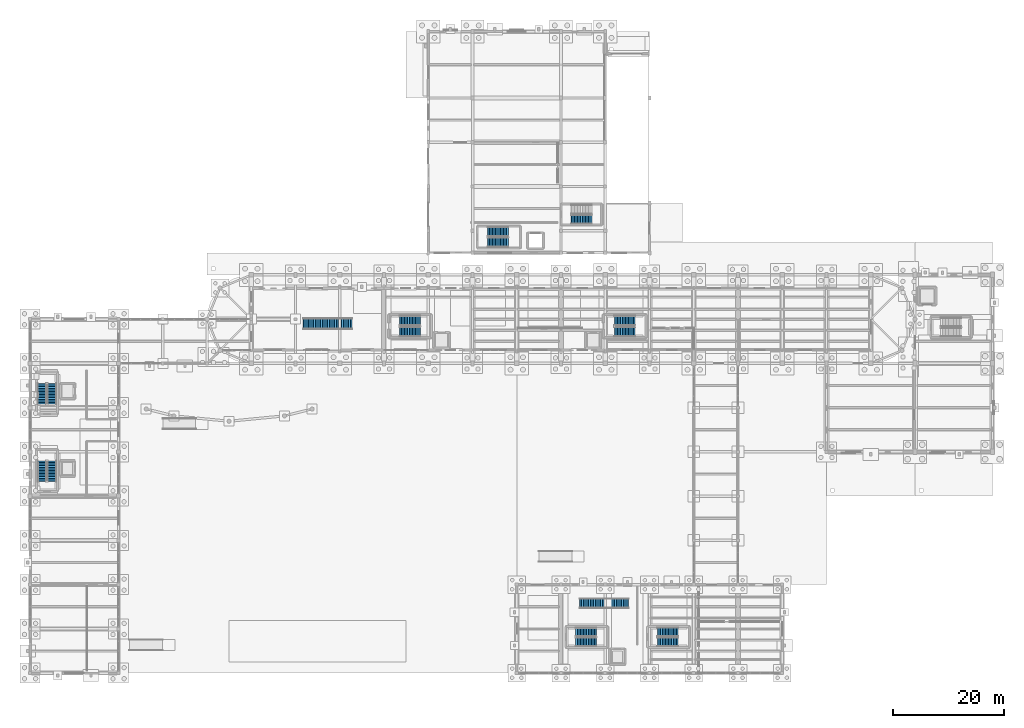
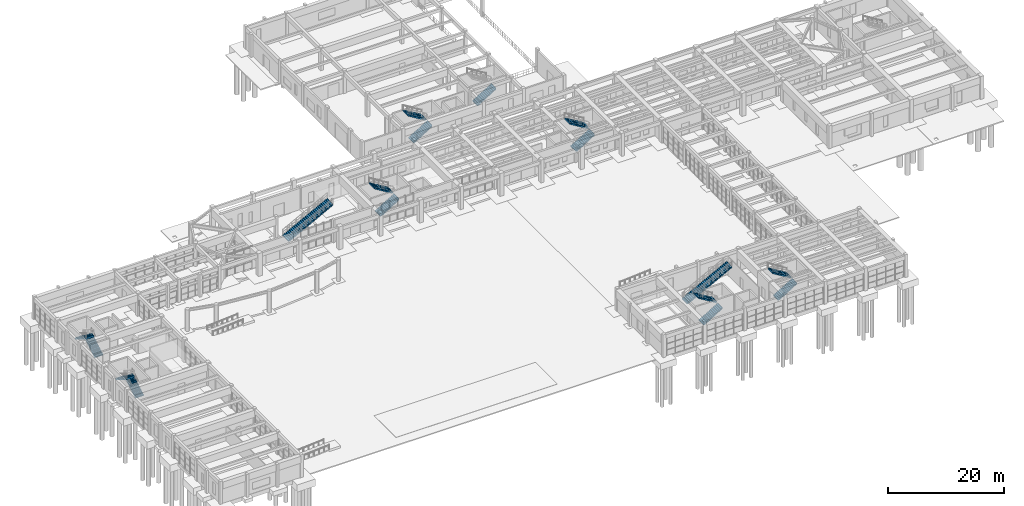
# One storey, part 55 of 68: 17 stair flights, 10 elements without a shape of their own.
"""IFC4 building model written with IfcOpenShell, lengths in metres."""

from ifc_helpers import new_model, si_unit, direction, frame, origin, place, context, subcontext, project, spatial, polyline, outline, extrude, material, type_object, element, aggregate, save


model = new_model("IFC4")

# Units and contexts
model_context = context("Model", 3, precision=1e-05, world=origin(), true_north=direction((0.0, 1.0)))
body_context = subcontext(model_context, "Body", "Model", "MODEL_VIEW")
ifc_project = project(units=[si_unit("LENGTHUNIT", "METRE"), si_unit("AREAUNIT", "SQUARE_METRE"), si_unit("VOLUMEUNIT", "CUBIC_METRE"), si_unit("PLANEANGLEUNIT", "RADIAN"), si_unit("MASSUNIT", "GRAM", prefix="KILO")], contexts=[model_context])

# Site, building, storey
site_placement = place(None, origin())
site = spatial("IfcSite", under=ifc_project, at=site_placement, CompositionType="ELEMENT")
building_placement = place(site_placement, origin())
building = spatial("IfcBuilding", under=site, at=building_placement, Name="Serraluz Foothill Cableway Terminal", CompositionType="ELEMENT")
storey_placement = place(building_placement, origin())
storey = spatial("IfcBuildingStorey", under=building, at=storey_placement, Name="L00", CompositionType="ELEMENT", Elevation=0.0)

# Stair, stair flights
ifc_material_1 = material(Name="Concrete C35/45 (f'c 35 MPa)", Category="concrete")
stair_type_1 = type_object("IfcStairType", Name="TYP-ST-DOG-166-48", PredefinedType="HALF_TURN_STAIR", material=ifc_material_1)
stair_1_placement = place(storey_placement, origin())
stair_1 = element("IfcStair", 1, at=stair_1_placement, inside=storey, type_object=stair_type_1, Name="L00 ST-01", PredefinedType="HALF_TURN_STAIR")
stair_flight_type_1 = type_object("IfcStairFlightType", Name="TYP-FL-DOG-166-48", PredefinedType="STRAIGHT", material=ifc_material_1)
stair_flight_1_placement = place(storey_placement, frame((3.969970703125, 48.659912109375, 0.0), z_axis=(0.0, 0.0, 1.0), x_axis=(0.0, 1.0, 0.0)))
stair_flight_1 = element("IfcStairFlight", 2, at=stair_flight_1_placement, type_object=stair_flight_type_1, Name="ST-01 flight 1", NumberOfRisers=14, NumberOfTreads=13, PredefinedType="STRAIGHT", RiserHeight=0.171428571, TreadLength=0.285, context=body_context, shape_type="SweptSolid", body=[
    extrude(outline(polyline([(-0.02490234375, -0.06005859375), (-0.02490234375, 0.0), (0.0, 0.0), (0.0, 0.17138671875), (0.284912109375, 0.17138671875), (0.284912109375, 0.3427734375), (0.570068359375, 0.3427734375), (0.570068359375, 0.514404296875), (0.85498046875, 0.514404296875), (0.85498046875, 0.685791015625), (1.139892578125, 0.685791015625), (1.139892578125, 0.857177734375), (1.425048828125, 0.857177734375), (1.425048828125, 1.028564453125), (1.7099609375, 1.028564453125), (1.7099609375, 1.199951171875), (1.9951171875, 1.199951171875), (1.9951171875, 1.371337890625), (2.280029296875, 1.371337890625), (2.280029296875, 1.54296875), (2.56494140625, 1.54296875), (2.56494140625, 1.71435546875), (2.85009765625, 1.71435546875), (2.85009765625, 1.8857421875), (3.135009765625, 1.8857421875), (3.135009765625, 2.05712890625), (3.419921875, 2.05712890625), (3.419921875, 2.228515625), (3.705078125, 2.228515625), (3.705078125, 2.39990234375), (3.72998046875, 2.39990234375), (3.72998046875, 2.0537109375), (0.290771484375, -0.06005859375), (-0.02490234375, -0.06005859375)])), frame((0.0, 0.830078125, 0.0), z_axis=(0.0, -1.0, 0.0), x_axis=(1.0, 0.0, 0.0)), (0.0, 0.0, 1.0), 1.659912109375),
])
stair_flight_2_placement = place(storey_placement, frame((2.14990234375, 52.364990234375, 2.39990234375), z_axis=(0.0, 0.0, 1.0), x_axis=(0.0, -1.0, 0.0)))
stair_flight_2 = element("IfcStairFlight", 3, at=stair_flight_2_placement, type_object=stair_flight_type_1, Name="ST-01 flight 2", NumberOfRisers=14, NumberOfTreads=13, PredefinedType="STRAIGHT", RiserHeight=0.171428571, TreadLength=0.285, context=body_context, shape_type="SweptSolid", body=[
    extrude(outline(polyline([(-0.02490234375, -0.06005859375), (-0.02490234375, 0.0), (0.0, 0.0), (0.0, 0.17138671875), (0.284912109375, 0.17138671875), (0.284912109375, 0.3427734375), (0.570068359375, 0.3427734375), (0.570068359375, 0.514404296875), (0.85498046875, 0.514404296875), (0.85498046875, 0.685791015625), (1.139892578125, 0.685791015625), (1.139892578125, 0.857177734375), (1.425048828125, 0.857177734375), (1.425048828125, 1.028564453125), (1.7099609375, 1.028564453125), (1.7099609375, 1.199951171875), (1.9951171875, 1.199951171875), (1.9951171875, 1.371337890625), (2.280029296875, 1.371337890625), (2.280029296875, 1.54296875), (2.56494140625, 1.54296875), (2.56494140625, 1.71435546875), (2.85009765625, 1.71435546875), (2.85009765625, 1.8857421875), (3.135009765625, 1.8857421875), (3.135009765625, 2.05712890625), (3.419921875, 2.05712890625), (3.419921875, 2.228515625), (3.705078125, 2.228515625), (3.705078125, 2.39990234375), (3.72998046875, 2.39990234375), (3.72998046875, 2.0537109375), (0.290771484375, -0.06005859375), (-0.02490234375, -0.06005859375)])), frame((0.0, 0.830078125, 0.0), z_axis=(0.0, -1.0, 0.0), x_axis=(1.0, 0.0, 0.0)), (0.0, 0.0, 1.0), 1.659912109375),
])
aggregate(stair_1, [stair_flight_1, stair_flight_2])

stair_2_placement = place(storey_placement, origin())
stair_2 = element("IfcStair", 4, at=stair_2_placement, inside=storey, type_object=stair_type_1, Name="L00 ST-02", PredefinedType="HALF_TURN_STAIR")
stair_flight_3_placement = place(storey_placement, frame((3.969970703125, 34.659912109375, 0.0), z_axis=(0.0, 0.0, 1.0), x_axis=(0.0, 1.0, 0.0)))
stair_flight_3 = element("IfcStairFlight", 5, at=stair_flight_3_placement, type_object=stair_flight_type_1, Name="ST-02 flight 1", NumberOfRisers=14, NumberOfTreads=13, PredefinedType="STRAIGHT", RiserHeight=0.171428571, TreadLength=0.285, context=body_context, shape_type="SweptSolid", body=[
    extrude(outline(polyline([(-0.02490234375, -0.06005859375), (-0.02490234375, 0.0), (0.0, 0.0), (0.0, 0.17138671875), (0.284912109375, 0.17138671875), (0.284912109375, 0.3427734375), (0.570068359375, 0.3427734375), (0.570068359375, 0.514404296875), (0.85498046875, 0.514404296875), (0.85498046875, 0.685791015625), (1.139892578125, 0.685791015625), (1.139892578125, 0.857177734375), (1.425048828125, 0.857177734375), (1.425048828125, 1.028564453125), (1.7099609375, 1.028564453125), (1.7099609375, 1.199951171875), (1.9951171875, 1.199951171875), (1.9951171875, 1.371337890625), (2.280029296875, 1.371337890625), (2.280029296875, 1.54296875), (2.56494140625, 1.54296875), (2.56494140625, 1.71435546875), (2.85009765625, 1.71435546875), (2.85009765625, 1.8857421875), (3.135009765625, 1.8857421875), (3.135009765625, 2.05712890625), (3.419921875, 2.05712890625), (3.419921875, 2.228515625), (3.705078125, 2.228515625), (3.705078125, 2.39990234375), (3.72998046875, 2.39990234375), (3.72998046875, 2.0537109375), (0.290771484375, -0.06005859375), (-0.02490234375, -0.06005859375)])), frame((0.0, 0.830078125, 0.0), z_axis=(0.0, -1.0, 0.0), x_axis=(1.0, 0.0, 0.0)), (0.0, 0.0, 1.0), 1.659912109375),
])
stair_flight_4_placement = place(storey_placement, frame((2.14990234375, 38.364990234375, 2.39990234375), z_axis=(0.0, 0.0, 1.0), x_axis=(0.0, -1.0, 0.0)))
stair_flight_4 = element("IfcStairFlight", 6, at=stair_flight_4_placement, type_object=stair_flight_type_1, Name="ST-02 flight 2", NumberOfRisers=14, NumberOfTreads=13, PredefinedType="STRAIGHT", RiserHeight=0.171428571, TreadLength=0.285, context=body_context, shape_type="SweptSolid", body=[
    extrude(outline(polyline([(-0.02490234375, -0.06005859375), (-0.02490234375, 0.0), (0.0, 0.0), (0.0, 0.17138671875), (0.284912109375, 0.17138671875), (0.284912109375, 0.3427734375), (0.570068359375, 0.3427734375), (0.570068359375, 0.514404296875), (0.85498046875, 0.514404296875), (0.85498046875, 0.685791015625), (1.139892578125, 0.685791015625), (1.139892578125, 0.857177734375), (1.425048828125, 0.857177734375), (1.425048828125, 1.028564453125), (1.7099609375, 1.028564453125), (1.7099609375, 1.199951171875), (1.9951171875, 1.199951171875), (1.9951171875, 1.371337890625), (2.280029296875, 1.371337890625), (2.280029296875, 1.54296875), (2.56494140625, 1.54296875), (2.56494140625, 1.71435546875), (2.85009765625, 1.71435546875), (2.85009765625, 1.8857421875), (3.135009765625, 1.8857421875), (3.135009765625, 2.05712890625), (3.419921875, 2.05712890625), (3.419921875, 2.228515625), (3.705078125, 2.228515625), (3.705078125, 2.39990234375), (3.72998046875, 2.39990234375), (3.72998046875, 2.0537109375), (0.290771484375, -0.06005859375), (-0.02490234375, -0.06005859375)])), frame((0.0, 0.830078125, 0.0), z_axis=(0.0, -1.0, 0.0), x_axis=(1.0, 0.0, 0.0)), (0.0, 0.0, 1.0), 1.659912109375),
])
aggregate(stair_2, [stair_flight_3, stair_flight_4])

stair_3_placement = place(storey_placement, origin())
stair_3 = element("IfcStair", 7, at=stair_3_placement, inside=storey, type_object=stair_type_1, Name="L00 ST-06", PredefinedType="HALF_TURN_STAIR")
stair_flight_5_placement = place(storey_placement, frame((98.659912109375, 5.6298828125, 0.0), z_axis=(0.0, 0.0, 1.0), x_axis=(1.0, 0.0, 0.0)))
stair_flight_5 = element("IfcStairFlight", 8, at=stair_flight_5_placement, type_object=stair_flight_type_1, Name="ST-06 flight 1", NumberOfRisers=14, NumberOfTreads=13, PredefinedType="STRAIGHT", RiserHeight=0.171428571, TreadLength=0.285, context=body_context, shape_type="SweptSolid", body=[
    extrude(outline(polyline([(-0.02490234375, -0.06005859375), (-0.02490234375, 0.0), (0.0, 0.0), (0.0, 0.17138671875), (0.284912109375, 0.17138671875), (0.284912109375, 0.3427734375), (0.570068359375, 0.3427734375), (0.570068359375, 0.514404296875), (0.85498046875, 0.514404296875), (0.85498046875, 0.685791015625), (1.139892578125, 0.685791015625), (1.139892578125, 0.857177734375), (1.425048828125, 0.857177734375), (1.425048828125, 1.028564453125), (1.7099609375, 1.028564453125), (1.7099609375, 1.199951171875), (1.9951171875, 1.199951171875), (1.9951171875, 1.371337890625), (2.280029296875, 1.371337890625), (2.280029296875, 1.54296875), (2.56494140625, 1.54296875), (2.56494140625, 1.71435546875), (2.85009765625, 1.71435546875), (2.85009765625, 1.8857421875), (3.135009765625, 1.8857421875), (3.135009765625, 2.05712890625), (3.419921875, 2.05712890625), (3.419921875, 2.228515625), (3.705078125, 2.228515625), (3.705078125, 2.39990234375), (3.72998046875, 2.39990234375), (3.72998046875, 2.0537109375), (0.290771484375, -0.06005859375), (-0.02490234375, -0.06005859375)])), frame((0.0, 0.830078125, 0.0), z_axis=(0.0, -1.0, 0.0), x_axis=(1.0, 0.0, 0.0)), (0.0, 0.0, 1.0), 1.659912109375),
])
stair_flight_6_placement = place(storey_placement, frame((102.364990234375, 7.449951171875, 2.39990234375), z_axis=(0.0, 0.0, 1.0), x_axis=(-1.0, 0.0, 0.0)))
stair_flight_6 = element("IfcStairFlight", 9, at=stair_flight_6_placement, type_object=stair_flight_type_1, Name="ST-06 flight 2", NumberOfRisers=14, NumberOfTreads=13, PredefinedType="STRAIGHT", RiserHeight=0.171428571, TreadLength=0.285, context=body_context, shape_type="SweptSolid", body=[
    extrude(outline(polyline([(-0.02490234375, -0.06005859375), (-0.02490234375, 0.0), (0.0, 0.0), (0.0, 0.17138671875), (0.284912109375, 0.17138671875), (0.284912109375, 0.3427734375), (0.570068359375, 0.3427734375), (0.570068359375, 0.514404296875), (0.85498046875, 0.514404296875), (0.85498046875, 0.685791015625), (1.139892578125, 0.685791015625), (1.139892578125, 0.857177734375), (1.425048828125, 0.857177734375), (1.425048828125, 1.028564453125), (1.7099609375, 1.028564453125), (1.7099609375, 1.199951171875), (1.9951171875, 1.199951171875), (1.9951171875, 1.371337890625), (2.280029296875, 1.371337890625), (2.280029296875, 1.54296875), (2.56494140625, 1.54296875), (2.56494140625, 1.71435546875), (2.85009765625, 1.71435546875), (2.85009765625, 1.8857421875), (3.135009765625, 1.8857421875), (3.135009765625, 2.05712890625), (3.419921875, 2.05712890625), (3.419921875, 2.228515625), (3.705078125, 2.228515625), (3.705078125, 2.39990234375), (3.72998046875, 2.39990234375), (3.72998046875, 2.0537109375), (0.290771484375, -0.06005859375), (-0.02490234375, -0.06005859375)])), frame((0.0, 0.830078125, 0.0), z_axis=(0.0, -1.0, 0.0), x_axis=(1.0, 0.0, 0.0)), (0.0, 0.0, 1.0), 1.659912109375),
])
aggregate(stair_3, [stair_flight_5, stair_flight_6])

stair_4_placement = place(storey_placement, origin())
stair_4 = element("IfcStair", 10, at=stair_4_placement, inside=storey, type_object=stair_type_1, Name="L00 ST-07", PredefinedType="HALF_TURN_STAIR")
stair_flight_7_placement = place(storey_placement, frame((113.4599609375, 5.6298828125, 0.0), z_axis=(0.0, 0.0, 1.0), x_axis=(1.0, 0.0, 0.0)))
stair_flight_7 = element("IfcStairFlight", 11, at=stair_flight_7_placement, type_object=stair_flight_type_1, Name="ST-07 flight 1", NumberOfRisers=14, NumberOfTreads=13, PredefinedType="STRAIGHT", RiserHeight=0.171428571, TreadLength=0.285, context=body_context, shape_type="SweptSolid", body=[
    extrude(outline(polyline([(-0.02490234375, -0.06005859375), (-0.02490234375, 0.0), (0.0, 0.0), (0.0, 0.17138671875), (0.284912109375, 0.17138671875), (0.284912109375, 0.3427734375), (0.570068359375, 0.3427734375), (0.570068359375, 0.514404296875), (0.85498046875, 0.514404296875), (0.85498046875, 0.685791015625), (1.139892578125, 0.685791015625), (1.139892578125, 0.857177734375), (1.425048828125, 0.857177734375), (1.425048828125, 1.028564453125), (1.7099609375, 1.028564453125), (1.7099609375, 1.199951171875), (1.9951171875, 1.199951171875), (1.9951171875, 1.371337890625), (2.280029296875, 1.371337890625), (2.280029296875, 1.54296875), (2.56494140625, 1.54296875), (2.56494140625, 1.71435546875), (2.85009765625, 1.71435546875), (2.85009765625, 1.8857421875), (3.135009765625, 1.8857421875), (3.135009765625, 2.05712890625), (3.419921875, 2.05712890625), (3.419921875, 2.228515625), (3.705078125, 2.228515625), (3.705078125, 2.39990234375), (3.72998046875, 2.39990234375), (3.72998046875, 2.0537109375), (0.290771484375, -0.06005859375), (-0.02490234375, -0.06005859375)])), frame((0.0, 0.830078125, 0.0), z_axis=(0.0, -1.0, 0.0), x_axis=(1.0, 0.0, 0.0)), (0.0, 0.0, 1.0), 1.659912109375),
])
stair_flight_8_placement = place(storey_placement, frame((117.1650390625, 7.449951171875, 2.39990234375), z_axis=(0.0, 0.0, 1.0), x_axis=(-1.0, 0.0, 0.0)))
stair_flight_8 = element("IfcStairFlight", 12, at=stair_flight_8_placement, type_object=stair_flight_type_1, Name="ST-07 flight 2", NumberOfRisers=14, NumberOfTreads=13, PredefinedType="STRAIGHT", RiserHeight=0.171428571, TreadLength=0.285, context=body_context, shape_type="SweptSolid", body=[
    extrude(outline(polyline([(-0.02490234375, -0.06005859375), (-0.02490234375, 0.0), (0.0, 0.0), (0.0, 0.17138671875), (0.284912109375, 0.17138671875), (0.284912109375, 0.3427734375), (0.570068359375, 0.3427734375), (0.570068359375, 0.514404296875), (0.85498046875, 0.514404296875), (0.85498046875, 0.685791015625), (1.139892578125, 0.685791015625), (1.139892578125, 0.857177734375), (1.425048828125, 0.857177734375), (1.425048828125, 1.028564453125), (1.7099609375, 1.028564453125), (1.7099609375, 1.199951171875), (1.9951171875, 1.199951171875), (1.9951171875, 1.371337890625), (2.280029296875, 1.371337890625), (2.280029296875, 1.54296875), (2.56494140625, 1.54296875), (2.56494140625, 1.71435546875), (2.85009765625, 1.71435546875), (2.85009765625, 1.8857421875), (3.135009765625, 1.8857421875), (3.135009765625, 2.05712890625), (3.419921875, 2.05712890625), (3.419921875, 2.228515625), (3.705078125, 2.228515625), (3.705078125, 2.39990234375), (3.72998046875, 2.39990234375), (3.72998046875, 2.0537109375), (0.290771484375, -0.06005859375), (-0.02490234375, -0.06005859375)])), frame((0.0, 0.830078125, 0.0), z_axis=(0.0, -1.0, 0.0), x_axis=(1.0, 0.0, 0.0)), (0.0, 0.0, 1.0), 1.659912109375),
])
aggregate(stair_4, [stair_flight_7, stair_flight_8])

# Stair, stair flight
stair_5_placement = place(storey_placement, origin())
stair_5 = element("IfcStair", 13, at=stair_5_placement, inside=storey, type_object=stair_type_1, Name="L00 ST-09", PredefinedType="HALF_TURN_STAIR")
stair_flight_9_placement = place(storey_placement, frame((97.860107421875, 82.030029296875, 0.0), z_axis=(0.0, 0.0, 1.0), x_axis=(1.0, 0.0, 0.0)))
stair_flight_9 = element("IfcStairFlight", 14, at=stair_flight_9_placement, type_object=stair_flight_type_1, Name="ST-09 flight 1", NumberOfRisers=14, NumberOfTreads=13, PredefinedType="STRAIGHT", RiserHeight=0.171428571, TreadLength=0.285, context=body_context, shape_type="SweptSolid", body=[
    extrude(outline(polyline([(-0.02490234375, -0.06005859375), (-0.02490234375, 0.0), (0.0, 0.0), (0.0, 0.17138671875), (0.284912109375, 0.17138671875), (0.284912109375, 0.3427734375), (0.570068359375, 0.3427734375), (0.570068359375, 0.514404296875), (0.85498046875, 0.514404296875), (0.85498046875, 0.685791015625), (1.139892578125, 0.685791015625), (1.139892578125, 0.857177734375), (1.425048828125, 0.857177734375), (1.425048828125, 1.028564453125), (1.7099609375, 1.028564453125), (1.7099609375, 1.199951171875), (1.9951171875, 1.199951171875), (1.9951171875, 1.371337890625), (2.280029296875, 1.371337890625), (2.280029296875, 1.54296875), (2.56494140625, 1.54296875), (2.56494140625, 1.71435546875), (2.85009765625, 1.71435546875), (2.85009765625, 1.8857421875), (3.135009765625, 1.8857421875), (3.135009765625, 2.05712890625), (3.419921875, 2.05712890625), (3.419921875, 2.228515625), (3.705078125, 2.228515625), (3.705078125, 2.39990234375), (3.72998046875, 2.39990234375), (3.72998046875, 2.0537109375), (0.290771484375, -0.06005859375), (-0.02490234375, -0.06005859375)])), frame((0.0, 0.830078125, 0.0), z_axis=(0.0, -1.0, 0.0), x_axis=(1.0, 0.0, 0.0)), (0.0, 0.0, 1.0), 1.659912109375),
])
aggregate(stair_5, [stair_flight_9])

# Stair, stair flights
stair_type_2 = type_object("IfcStairType", Name="TYP-ST-DOG-176-48", PredefinedType="HALF_TURN_STAIR", material=ifc_material_1)
stair_6_placement = place(storey_placement, origin())
stair_6 = element("IfcStair", 15, at=stair_6_placement, inside=storey, type_object=stair_type_2, Name="L00 ST-08", PredefinedType="HALF_TURN_STAIR")
stair_flight_type_2 = type_object("IfcStairFlightType", Name="TYP-FL-DOG-176-48", PredefinedType="STRAIGHT", material=ifc_material_1)
stair_flight_10_placement = place(storey_placement, frame((82.760009765625, 77.8798828125, 0.0), z_axis=(0.0, 0.0, 1.0), x_axis=(1.0, 0.0, 0.0)))
stair_flight_10 = element("IfcStairFlight", 16, at=stair_flight_10_placement, type_object=stair_flight_type_2, Name="ST-08 flight 1", NumberOfRisers=14, NumberOfTreads=13, PredefinedType="STRAIGHT", RiserHeight=0.171428571, TreadLength=0.285, context=body_context, shape_type="SweptSolid", body=[
    extrude(outline(polyline([(-0.02490234375, -0.06005859375), (-0.02490234375, 0.0), (0.0, 0.0), (0.0, 0.17138671875), (0.284912109375, 0.17138671875), (0.284912109375, 0.3427734375), (0.570068359375, 0.3427734375), (0.570068359375, 0.514404296875), (0.85498046875, 0.514404296875), (0.85498046875, 0.685791015625), (1.139892578125, 0.685791015625), (1.139892578125, 0.857177734375), (1.425048828125, 0.857177734375), (1.425048828125, 1.028564453125), (1.7099609375, 1.028564453125), (1.7099609375, 1.199951171875), (1.9951171875, 1.199951171875), (1.9951171875, 1.371337890625), (2.280029296875, 1.371337890625), (2.280029296875, 1.54296875), (2.56494140625, 1.54296875), (2.56494140625, 1.71435546875), (2.85009765625, 1.71435546875), (2.85009765625, 1.8857421875), (3.135009765625, 1.8857421875), (3.135009765625, 2.05712890625), (3.419921875, 2.05712890625), (3.419921875, 2.228515625), (3.705078125, 2.228515625), (3.705078125, 2.39990234375), (3.72998046875, 2.39990234375), (3.72998046875, 2.0537109375), (0.290771484375, -0.06005859375), (-0.02490234375, -0.06005859375)])), frame((0.0, 0.8798828125, 0.0), z_axis=(0.0, -1.0, 0.0), x_axis=(1.0, 0.0, 0.0)), (0.0, 0.0, 1.0), 1.760009765625),
])
stair_flight_11_placement = place(storey_placement, frame((86.465087890625, 79.800048828125, 2.39990234375), z_axis=(0.0, 0.0, 1.0), x_axis=(-1.0, 0.0, 0.0)))
stair_flight_11 = element("IfcStairFlight", 17, at=stair_flight_11_placement, type_object=stair_flight_type_2, Name="ST-08 flight 2", NumberOfRisers=14, NumberOfTreads=13, PredefinedType="STRAIGHT", RiserHeight=0.171428571, TreadLength=0.285, context=body_context, shape_type="SweptSolid", body=[
    extrude(outline(polyline([(-0.02490234375, -0.06005859375), (-0.02490234375, 0.0), (0.0, 0.0), (0.0, 0.17138671875), (0.284912109375, 0.17138671875), (0.284912109375, 0.3427734375), (0.570068359375, 0.3427734375), (0.570068359375, 0.514404296875), (0.85498046875, 0.514404296875), (0.85498046875, 0.685791015625), (1.139892578125, 0.685791015625), (1.139892578125, 0.857177734375), (1.425048828125, 0.857177734375), (1.425048828125, 1.028564453125), (1.7099609375, 1.028564453125), (1.7099609375, 1.199951171875), (1.9951171875, 1.199951171875), (1.9951171875, 1.371337890625), (2.280029296875, 1.371337890625), (2.280029296875, 1.54296875), (2.56494140625, 1.54296875), (2.56494140625, 1.71435546875), (2.85009765625, 1.71435546875), (2.85009765625, 1.8857421875), (3.135009765625, 1.8857421875), (3.135009765625, 2.05712890625), (3.419921875, 2.05712890625), (3.419921875, 2.228515625), (3.705078125, 2.228515625), (3.705078125, 2.39990234375), (3.72998046875, 2.39990234375), (3.72998046875, 2.0537109375), (0.290771484375, -0.06005859375), (-0.02490234375, -0.06005859375)])), frame((0.0, 0.8798828125, 0.0), z_axis=(0.0, -1.0, 0.0), x_axis=(1.0, 0.0, 0.0)), (0.0, 0.0, 1.0), 1.760009765625),
])
aggregate(stair_6, [stair_flight_10, stair_flight_11])

stair_type_3 = type_object("IfcStairType", Name="TYP-ST-DOG-186-48", PredefinedType="HALF_TURN_STAIR", material=ifc_material_1)
stair_7_placement = place(storey_placement, origin())
stair_7 = element("IfcStair", 18, at=stair_7_placement, inside=storey, type_object=stair_type_3, Name="L00 ST-03", PredefinedType="HALF_TURN_STAIR")
stair_flight_type_3 = type_object("IfcStairFlightType", Name="TYP-FL-DOG-186-48", PredefinedType="STRAIGHT", material=ifc_material_1)
stair_flight_12_placement = place(storey_placement, frame((66.860107421875, 61.72998046875, 0.0), z_axis=(0.0, 0.0, 1.0), x_axis=(1.0, 0.0, 0.0)))
stair_flight_12 = element("IfcStairFlight", 19, at=stair_flight_12_placement, type_object=stair_flight_type_3, Name="ST-03 flight 1", NumberOfRisers=14, NumberOfTreads=13, PredefinedType="STRAIGHT", RiserHeight=0.171428571, TreadLength=0.285, context=body_context, shape_type="SweptSolid", body=[
    extrude(outline(polyline([(-0.02490234375, -0.06005859375), (-0.02490234375, 0.0), (0.0, 0.0), (0.0, 0.17138671875), (0.284912109375, 0.17138671875), (0.284912109375, 0.3427734375), (0.570068359375, 0.3427734375), (0.570068359375, 0.514404296875), (0.85498046875, 0.514404296875), (0.85498046875, 0.685791015625), (1.139892578125, 0.685791015625), (1.139892578125, 0.857177734375), (1.425048828125, 0.857177734375), (1.425048828125, 1.028564453125), (1.7099609375, 1.028564453125), (1.7099609375, 1.199951171875), (1.9951171875, 1.199951171875), (1.9951171875, 1.371337890625), (2.280029296875, 1.371337890625), (2.280029296875, 1.54296875), (2.56494140625, 1.54296875), (2.56494140625, 1.71435546875), (2.85009765625, 1.71435546875), (2.85009765625, 1.8857421875), (3.135009765625, 1.8857421875), (3.135009765625, 2.05712890625), (3.419921875, 2.05712890625), (3.419921875, 2.228515625), (3.705078125, 2.228515625), (3.705078125, 2.39990234375), (3.72998046875, 2.39990234375), (3.72998046875, 2.0537109375), (0.290771484375, -0.06005859375), (-0.02490234375, -0.06005859375)])), frame((0.0, 0.93017578125, 0.0), z_axis=(0.0, -1.0, 0.0), x_axis=(1.0, 0.0, 0.0)), (0.0, 0.0, 1.0), 1.860107421875),
])
stair_flight_13_placement = place(storey_placement, frame((70.56494140625, 63.75, 2.39990234375), z_axis=(0.0, 0.0, 1.0), x_axis=(-1.0, 0.0, 0.0)))
stair_flight_13 = element("IfcStairFlight", 20, at=stair_flight_13_placement, type_object=stair_flight_type_3, Name="ST-03 flight 2", NumberOfRisers=14, NumberOfTreads=13, PredefinedType="STRAIGHT", RiserHeight=0.171428571, TreadLength=0.285, context=body_context, shape_type="SweptSolid", body=[
    extrude(outline(polyline([(-0.02490234375, -0.06005859375), (-0.02490234375, 0.0), (0.0, 0.0), (0.0, 0.17138671875), (0.284912109375, 0.17138671875), (0.284912109375, 0.3427734375), (0.570068359375, 0.3427734375), (0.570068359375, 0.514404296875), (0.85498046875, 0.514404296875), (0.85498046875, 0.685791015625), (1.139892578125, 0.685791015625), (1.139892578125, 0.857177734375), (1.425048828125, 0.857177734375), (1.425048828125, 1.028564453125), (1.7099609375, 1.028564453125), (1.7099609375, 1.199951171875), (1.9951171875, 1.199951171875), (1.9951171875, 1.371337890625), (2.280029296875, 1.371337890625), (2.280029296875, 1.54296875), (2.56494140625, 1.54296875), (2.56494140625, 1.71435546875), (2.85009765625, 1.71435546875), (2.85009765625, 1.8857421875), (3.135009765625, 1.8857421875), (3.135009765625, 2.05712890625), (3.419921875, 2.05712890625), (3.419921875, 2.228515625), (3.705078125, 2.228515625), (3.705078125, 2.39990234375), (3.72998046875, 2.39990234375), (3.72998046875, 2.0537109375), (0.290771484375, -0.06005859375), (-0.02490234375, -0.06005859375)])), frame((0.0, 0.93017578125, 0.0), z_axis=(0.0, -1.0, 0.0), x_axis=(1.0, 0.0, 0.0)), (0.0, 0.0, 1.0), 1.860107421875),
])
aggregate(stair_7, [stair_flight_12, stair_flight_13])

stair_8_placement = place(storey_placement, origin())
stair_8 = element("IfcStair", 21, at=stair_8_placement, inside=storey, type_object=stair_type_3, Name="L00 ST-04", PredefinedType="HALF_TURN_STAIR")
stair_flight_14_placement = place(storey_placement, frame((105.659912109375, 61.72998046875, 0.0), z_axis=(0.0, 0.0, 1.0), x_axis=(1.0, 0.0, 0.0)))
stair_flight_14 = element("IfcStairFlight", 22, at=stair_flight_14_placement, type_object=stair_flight_type_3, Name="ST-04 flight 1", NumberOfRisers=14, NumberOfTreads=13, PredefinedType="STRAIGHT", RiserHeight=0.171428571, TreadLength=0.285, context=body_context, shape_type="SweptSolid", body=[
    extrude(outline(polyline([(-0.02490234375, -0.06005859375), (-0.02490234375, 0.0), (0.0, 0.0), (0.0, 0.17138671875), (0.284912109375, 0.17138671875), (0.284912109375, 0.3427734375), (0.570068359375, 0.3427734375), (0.570068359375, 0.514404296875), (0.85498046875, 0.514404296875), (0.85498046875, 0.685791015625), (1.139892578125, 0.685791015625), (1.139892578125, 0.857177734375), (1.425048828125, 0.857177734375), (1.425048828125, 1.028564453125), (1.7099609375, 1.028564453125), (1.7099609375, 1.199951171875), (1.9951171875, 1.199951171875), (1.9951171875, 1.371337890625), (2.280029296875, 1.371337890625), (2.280029296875, 1.54296875), (2.56494140625, 1.54296875), (2.56494140625, 1.71435546875), (2.85009765625, 1.71435546875), (2.85009765625, 1.8857421875), (3.135009765625, 1.8857421875), (3.135009765625, 2.05712890625), (3.419921875, 2.05712890625), (3.419921875, 2.228515625), (3.705078125, 2.228515625), (3.705078125, 2.39990234375), (3.72998046875, 2.39990234375), (3.72998046875, 2.0537109375), (0.290771484375, -0.06005859375), (-0.02490234375, -0.06005859375)])), frame((0.0, 0.93017578125, 0.0), z_axis=(0.0, -1.0, 0.0), x_axis=(1.0, 0.0, 0.0)), (0.0, 0.0, 1.0), 1.860107421875),
])
stair_flight_15_placement = place(storey_placement, frame((109.364990234375, 63.75, 2.39990234375), z_axis=(0.0, 0.0, 1.0), x_axis=(-1.0, 0.0, 0.0)))
stair_flight_15 = element("IfcStairFlight", 23, at=stair_flight_15_placement, type_object=stair_flight_type_3, Name="ST-04 flight 2", NumberOfRisers=14, NumberOfTreads=13, PredefinedType="STRAIGHT", RiserHeight=0.171428571, TreadLength=0.285, context=body_context, shape_type="SweptSolid", body=[
    extrude(outline(polyline([(-0.02490234375, -0.06005859375), (-0.02490234375, 0.0), (0.0, 0.0), (0.0, 0.17138671875), (0.284912109375, 0.17138671875), (0.284912109375, 0.3427734375), (0.570068359375, 0.3427734375), (0.570068359375, 0.514404296875), (0.85498046875, 0.514404296875), (0.85498046875, 0.685791015625), (1.139892578125, 0.685791015625), (1.139892578125, 0.857177734375), (1.425048828125, 0.857177734375), (1.425048828125, 1.028564453125), (1.7099609375, 1.028564453125), (1.7099609375, 1.199951171875), (1.9951171875, 1.199951171875), (1.9951171875, 1.371337890625), (2.280029296875, 1.371337890625), (2.280029296875, 1.54296875), (2.56494140625, 1.54296875), (2.56494140625, 1.71435546875), (2.85009765625, 1.71435546875), (2.85009765625, 1.8857421875), (3.135009765625, 1.8857421875), (3.135009765625, 2.05712890625), (3.419921875, 2.05712890625), (3.419921875, 2.228515625), (3.705078125, 2.228515625), (3.705078125, 2.39990234375), (3.72998046875, 2.39990234375), (3.72998046875, 2.0537109375), (0.290771484375, -0.06005859375), (-0.02490234375, -0.06005859375)])), frame((0.0, 0.93017578125, 0.0), z_axis=(0.0, -1.0, 0.0), x_axis=(1.0, 0.0, 0.0)), (0.0, 0.0, 1.0), 1.860107421875),
])
aggregate(stair_8, [stair_flight_14, stair_flight_15])

# Stair, stair flight
ifc_material_2 = material(Name="Steel ASTM A992 Grade 50", Category="steel")
stair_type_4 = type_object("IfcStairType", Name="TYP-ST-STR-180", PredefinedType="STRAIGHT_RUN_STAIR", material=ifc_material_2)
stair_9_placement = place(storey_placement, origin())
stair_9 = element("IfcStair", 24, at=stair_9_placement, inside=storey, type_object=stair_type_4, Name="Feature Straight Stair ST-F04", PredefinedType="STRAIGHT_RUN_STAIR")
stair_flight_type_4 = type_object("IfcStairFlightType", Name="TYP-FL-STR-180", PredefinedType="STRAIGHT", material=ifc_material_2)
stair_flight_16_placement = place(storey_placement, frame((99.39990234375, 12.60009765625, 0.0), z_axis=(0.0, 0.0, 1.0), x_axis=(1.0, 0.0, 0.0)))
stair_flight_16 = element("IfcStairFlight", 25, at=stair_flight_16_placement, type_object=stair_flight_type_4, Name="STS-180 flight 1", NumberOfRisers=29, NumberOfTreads=28, PredefinedType="STRAIGHT", RiserHeight=0.165517, TreadLength=0.315, context=body_context, shape_type="SweptSolid", body=[
    extrude(outline(polyline([(-0.02490234375, -0.06005859375), (-0.02490234375, 0.0), (0.0, 0.0), (0.0, 0.16552734375), (0.31494140625, 0.16552734375), (0.31494140625, 0.3310546875), (0.6298828125, 0.3310546875), (0.6298828125, 0.49658203125), (0.945068359375, 0.49658203125), (0.945068359375, 0.662109375), (1.260009765625, 0.662109375), (1.260009765625, 0.82763671875), (1.574951171875, 0.82763671875), (1.574951171875, 0.9931640625), (1.889892578125, 0.9931640625), (1.889892578125, 1.15869140625), (2.205078125, 1.15869140625), (2.205078125, 1.32421875), (2.52001953125, 1.32421875), (2.52001953125, 1.48974609375), (2.8349609375, 1.48974609375), (2.8349609375, 1.6552734375), (3.14990234375, 1.6552734375), (3.14990234375, 1.82080078125), (3.465087890625, 1.82080078125), (3.465087890625, 1.986083984375), (3.780029296875, 1.986083984375), (3.780029296875, 2.151611328125), (4.094970703125, 2.151611328125), (4.094970703125, 2.317138671875), (4.409912109375, 2.317138671875), (4.409912109375, 2.482666015625), (4.72509765625, 2.482666015625), (4.72509765625, 2.648193359375), (5.0400390625, 2.648193359375), (5.0400390625, 2.813720703125), (5.35498046875, 2.813720703125), (5.35498046875, 2.979248046875), (5.669921875, 2.979248046875), (5.669921875, 3.144775390625), (5.985107421875, 3.144775390625), (5.985107421875, 3.310302734375), (6.300048828125, 3.310302734375), (6.300048828125, 3.475830078125), (6.614990234375, 3.475830078125), (6.614990234375, 3.641357421875), (6.929931640625, 3.641357421875), (6.929931640625, 3.806884765625), (7.2451171875, 3.806884765625), (7.2451171875, 3.972412109375), (7.56005859375, 3.972412109375), (7.56005859375, 4.137939453125), (7.875, 4.137939453125), (7.875, 4.303466796875), (8.18994140625, 4.303466796875), (8.18994140625, 4.468994140625), (8.5048828125, 4.468994140625), (8.5048828125, 4.634521484375), (8.820068359375, 4.634521484375), (8.820068359375, 4.800048828125), (8.844970703125, 4.800048828125), (8.844970703125, 4.447998046875), (0.354736328125, -0.06005859375), (-0.02490234375, -0.06005859375)])), frame((0.0, 0.89990234375, 0.0), z_axis=(0.0, -1.0, 0.0), x_axis=(1.0, 0.0, 0.0)), (0.0, 0.0, 1.0), 1.800048828125),
])
aggregate(stair_9, [stair_flight_16])

stair_type_5 = type_object("IfcStairType", Name="TYP-ST-STR-200", PredefinedType="STRAIGHT_RUN_STAIR", material=ifc_material_2)
stair_10_placement = place(storey_placement, origin())
stair_10 = element("IfcStair", 26, at=stair_10_placement, inside=storey, type_object=stair_type_5, Name="Feature Straight Stair ST-F01", PredefinedType="STRAIGHT_RUN_STAIR")
stair_flight_type_5 = type_object("IfcStairFlightType", Name="TYP-FL-STR-200", PredefinedType="STRAIGHT", material=ifc_material_2)
stair_flight_17_placement = place(storey_placement, frame((49.39990234375, 63.199951171875, 0.0), z_axis=(0.0, 0.0, 1.0), x_axis=(1.0, 0.0, 0.0)))
stair_flight_17 = element("IfcStairFlight", 27, at=stair_flight_17_placement, type_object=stair_flight_type_5, Name="STS-200 flight 1", NumberOfRisers=29, NumberOfTreads=28, PredefinedType="STRAIGHT", RiserHeight=0.165517, TreadLength=0.315, context=body_context, shape_type="SweptSolid", body=[
    extrude(outline(polyline([(-0.02490234375, -0.06005859375), (-0.02490234375, 0.0), (0.0, 0.0), (0.0, 0.16552734375), (0.31494140625, 0.16552734375), (0.31494140625, 0.3310546875), (0.6298828125, 0.3310546875), (0.6298828125, 0.49658203125), (0.945068359375, 0.49658203125), (0.945068359375, 0.662109375), (1.260009765625, 0.662109375), (1.260009765625, 0.82763671875), (1.574951171875, 0.82763671875), (1.574951171875, 0.9931640625), (1.889892578125, 0.9931640625), (1.889892578125, 1.15869140625), (2.205078125, 1.15869140625), (2.205078125, 1.32421875), (2.52001953125, 1.32421875), (2.52001953125, 1.48974609375), (2.8349609375, 1.48974609375), (2.8349609375, 1.6552734375), (3.14990234375, 1.6552734375), (3.14990234375, 1.82080078125), (3.465087890625, 1.82080078125), (3.465087890625, 1.986083984375), (3.780029296875, 1.986083984375), (3.780029296875, 2.151611328125), (4.094970703125, 2.151611328125), (4.094970703125, 2.317138671875), (4.409912109375, 2.317138671875), (4.409912109375, 2.482666015625), (4.72509765625, 2.482666015625), (4.72509765625, 2.648193359375), (5.0400390625, 2.648193359375), (5.0400390625, 2.813720703125), (5.35498046875, 2.813720703125), (5.35498046875, 2.979248046875), (5.669921875, 2.979248046875), (5.669921875, 3.144775390625), (5.985107421875, 3.144775390625), (5.985107421875, 3.310302734375), (6.300048828125, 3.310302734375), (6.300048828125, 3.475830078125), (6.614990234375, 3.475830078125), (6.614990234375, 3.641357421875), (6.929931640625, 3.641357421875), (6.929931640625, 3.806884765625), (7.2451171875, 3.806884765625), (7.2451171875, 3.972412109375), (7.56005859375, 3.972412109375), (7.56005859375, 4.137939453125), (7.875, 4.137939453125), (7.875, 4.303466796875), (8.18994140625, 4.303466796875), (8.18994140625, 4.468994140625), (8.5048828125, 4.468994140625), (8.5048828125, 4.634521484375), (8.820068359375, 4.634521484375), (8.820068359375, 4.800048828125), (8.844970703125, 4.800048828125), (8.844970703125, 4.447998046875), (0.354736328125, -0.06005859375), (-0.02490234375, -0.06005859375)])), frame((0.0, 1.0, 0.0), z_axis=(0.0, -1.0, 0.0), x_axis=(1.0, 0.0, 0.0)), (0.0, 0.0, 1.0), 2.0),
])
aggregate(stair_10, [stair_flight_17])

save(model, "model.ifc")
